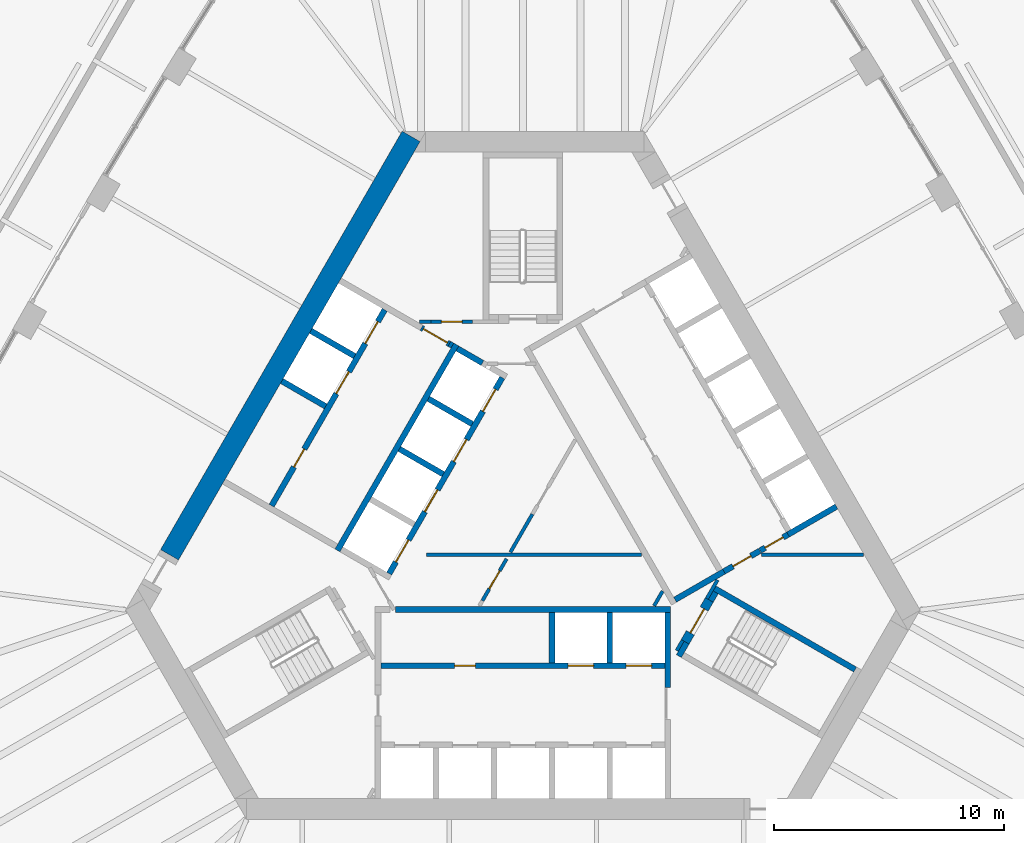
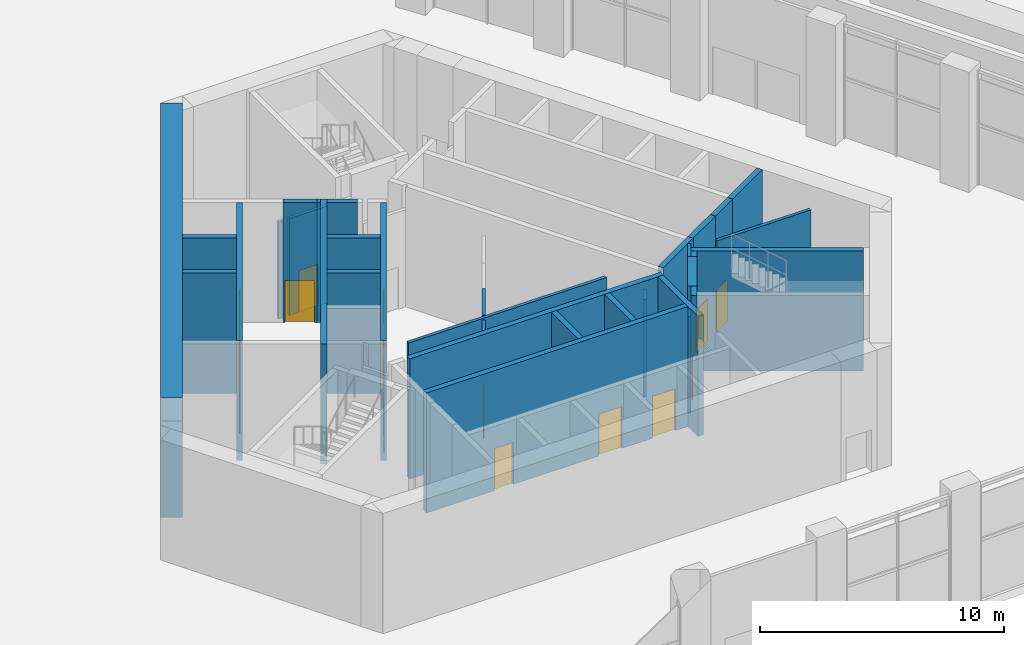
# One storey, part 26 of 41: 33 walls, 16 doors, 16 openings.
"""IFC4 building model written with IfcOpenShell, lengths in metres."""

from ifc_helpers import new_model, si_unit, direction, frame, frame_2d, origin, place, context, subcontext, project, spatial, polyline, rectangle, outline, extrude, material, layer, layer_set, type_object, element, fill, save


model = new_model("IFC4")

# Units and contexts
model_context = context("Model", 3, precision=1e-05, world=origin(), true_north=direction((0.0, 1.0)))
body_context = subcontext(model_context, "Body", "Model", "MODEL_VIEW")
ifc_project = project(units=[si_unit("LENGTHUNIT", "METRE"), si_unit("AREAUNIT", "SQUARE_METRE"), si_unit("VOLUMEUNIT", "CUBIC_METRE"), si_unit("PLANEANGLEUNIT", "RADIAN"), si_unit("MASSUNIT", "GRAM", prefix="KILO")], contexts=[model_context])

# Site, building, storey
site_placement = place(None, origin())
site = spatial("IfcSite", under=ifc_project, at=site_placement, CompositionType="ELEMENT")
building_placement = place(site_placement, origin())
building = spatial("IfcBuilding", under=site, at=building_placement, Name="Mestral Congress Tower", CompositionType="ELEMENT")
storey_placement = place(building_placement, frame((0.0, 0.0, 21.60009765625)))
storey = spatial("IfcBuildingStorey", under=building, at=storey_placement, Name="L04", CompositionType="ELEMENT", Elevation=21.60009765625)

# Walls
ifc_material_1 = material(Name="Fire-rated board partition")
ifc_layer_1 = layer(ifc_material_1, 0.14990234375)
ifc_layer_set_1 = layer_set([ifc_layer_1], Name="Fire-rated board partition")
wall_type_1 = type_object("IfcWallType", Name="Core partition 150", PredefinedType="PARTITIONING", material=ifc_layer_set_1)
wall_1_placement = place(storey_placement, frame((-3.99658203125, 8.625244140625, 0.0), z_axis=(0.0, 0.0, 1.0), x_axis=(-1.0, 0.0, 0.0)))
element("IfcWall", 1, at=wall_1_placement, inside=storey, type_object=wall_type_1, Name="L04 core wall", PredefinedType="PARTITIONING", context=body_context, shape_type="SweptSolid", body=[
    extrude(rectangle(XDim=0.502197265625, YDim=0.14990234375, at=frame_2d((0.2509765625, 0.0))), origin(), (0.0, 0.0, 1.0), 4.849853515625),
])
wall_2_placement = place(storey_placement, frame((6.94482421875, -5.22216796875, 0.0), z_axis=(0.0, 0.0, 1.0), x_axis=(-0.499818422106, -0.866130212453, 0.0)))
element("IfcWall", 2, at=wall_2_placement, inside=storey, type_object=wall_type_1, Name="L04 core wall", PredefinedType="PARTITIONING", context=body_context, shape_type="SweptSolid", body=[
    extrude(rectangle(XDim=0.513916015625, YDim=0.14990234375, at=frame_2d((0.2568359375, 0.0))), origin(), (0.0, 0.0, 1.0), 4.849853515625),
])
wall_3_placement = place(storey_placement, frame((5.704833984375, -3.718017578125, 0.0), z_axis=(0.0, 0.0, 1.0), x_axis=(0.499962090823, 0.866047289552, 0.0)))
element("IfcWall", 3, at=wall_3_placement, inside=storey, type_object=wall_type_1, Name="L04 core wall", PredefinedType="PARTITIONING", context=body_context, shape_type="SweptSolid", body=[
    extrude(rectangle(XDim=0.73486328125, YDim=0.14990234375, at=frame_2d((0.367431640625, 0.0))), origin(), (0.0, 0.0, 1.0), 4.849853515625),
])
wall_4_placement = place(storey_placement, frame((10.362060546875, -1.5, 0.0), z_axis=(0.0, 0.0, 1.0), x_axis=(1.0, 0.0, 0.0)))
element("IfcWall", 4, at=wall_4_placement, inside=storey, type_object=wall_type_1, Name="L04 core wall", PredefinedType="PARTITIONING", context=body_context, shape_type="SweptSolid", body=[
    extrude(rectangle(XDim=4.439208984375, YDim=0.14990234375, at=frame_2d((2.2197265625, 0.0))), origin(), (0.0, 0.0, 1.0), 4.849853515625),
])
wall_5_placement = place(storey_placement, frame((-4.199951171875, -1.5, 0.0), z_axis=(0.0, 0.0, 1.0), x_axis=(1.0, 0.0, 0.0)))
element("IfcWall", 5, at=wall_5_placement, inside=storey, type_object=wall_type_1, Name="L04 core wall", PredefinedType="PARTITIONING", context=body_context, shape_type="SweptSolid", body=[
    extrude(rectangle(XDim=9.359375, YDim=0.14990234375, at=frame_2d((4.6796875, 0.0))), origin(), (0.0, 0.0, 1.0), 4.849853515625),
])
wall_6_placement = place(storey_placement, frame((-0.54443359375, -1.393310546875, 0.0), z_axis=(0.0, 0.0, 1.0), x_axis=(0.499928740635, 0.866066541489, 0.0)))
element("IfcWall", 6, at=wall_6_placement, inside=storey, type_object=wall_type_1, Name="L04 core wall", PredefinedType="PARTITIONING", context=body_context, shape_type="SweptSolid", body=[
    extrude(rectangle(XDim=1.912353515625, YDim=0.14990234375, at=frame_2d((0.9560546875, 0.0))), origin(), (0.0, 0.0, 1.0), 4.849853515625),
])

# Wall, opening, door
wall_7_placement = place(storey_placement, frame((-2.1962890625, 8.625, 0.0), z_axis=(0.0, 0.0, 1.0), x_axis=(-1.0, 0.0, 0.0)))
wall_7 = element("IfcWall", 7, at=wall_7_placement, inside=storey, type_object=wall_type_1, Name="L04 door wall", PredefinedType="PARTITIONING", context=body_context, shape_type="SweptSolid", body=[
    extrude(rectangle(XDim=1.800048828125, YDim=0.14990234375, at=frame_2d((0.89990234375, 0.0))), origin(), (0.0, 0.0, 1.0), 4.849853515625),
])
opening_1_placement = place(wall_7_placement, frame((0.449951171875, 0.0, 0.0)))
opening_1 = element("IfcOpeningElement", 8, at=opening_1_placement, cuts=wall_7, Name="Opening TD2", PredefinedType="OPENING", context=body_context, shape_type="SweptSolid", body=[
    extrude(rectangle(XDim=0.89990234375, YDim=2.10009765625, at=frame_2d((0.449951171875, 1.050048828125))), frame((0.0, 0.0849609375, 0.0), z_axis=(0.0, -1.0, 0.0), x_axis=(1.0, 0.0, 0.0)), (0.0, 0.0, 1.0), 0.169921875),
])
ifc_material_2 = material(Name="Fire-rated steel door set", Category="steel")
door_type_1 = type_object("IfcDoorType", Name="Core door SR 900x2100", OperationType="SINGLE_SWING_LEFT", PredefinedType="DOOR", material=ifc_material_2)
door_1_placement = place(opening_1_placement, origin())
door_1 = element("IfcDoor", 9, at=door_1_placement, inside=storey, type_object=door_type_1, Name="Door TD2", OperationType="SINGLE_SWING_LEFT", OverallHeight=2.10009765625, OverallWidth=0.89990234375, PredefinedType="DOOR", context=body_context, shape_type="SweptSolid", body=[
    extrude(rectangle(XDim=0.89990234375, YDim=2.10009765625, at=frame_2d((0.449951171875, 1.050048828125))), frame((0.0, 0.02490234375, 0.0), z_axis=(0.0, -1.0, 0.0), x_axis=(1.0, 0.0, 0.0)), (0.0, 0.0, 1.0), 0.050048828125),
])
fill(opening_1, door_1)

wall_8_placement = place(storey_placement, frame((-1.759765625, -3.498046875, 0.0), z_axis=(0.0, 0.0, 1.0), x_axis=(0.499977374825, 0.866038466041, 0.0)))
wall_8 = element("IfcWall", 10, at=wall_8_placement, inside=storey, type_object=wall_type_1, Name="L04 door wall", PredefinedType="PARTITIONING", context=body_context, shape_type="SweptSolid", body=[
    extrude(rectangle(XDim=2.10009765625, YDim=0.14990234375, at=frame_2d((1.050048828125, 0.0))), origin(), (0.0, 0.0, 1.0), 4.849853515625),
])
opening_2_placement = place(wall_8_placement, frame((0.60009765625, 0.0, 0.0)))
opening_2 = element("IfcOpeningElement", 11, at=opening_2_placement, cuts=wall_8, Name="Opening CD1-HUB0", PredefinedType="OPENING", context=body_context, shape_type="SweptSolid", body=[
    extrude(rectangle(XDim=0.89990234375, YDim=2.10009765625, at=frame_2d((0.449951171875, 1.050048828125))), frame((0.0, 0.0849609375, 0.0), z_axis=(0.0, -1.0, 0.0), x_axis=(1.0, 0.0, 0.0)), (0.0, 0.0, 1.0), 0.169921875),
])
door_type_2 = type_object("IfcDoorType", Name="Core door CD 900x2100", OperationType="SINGLE_SWING_LEFT", PredefinedType="DOOR", material=ifc_material_2)
door_2_placement = place(opening_2_placement, origin())
door_2 = element("IfcDoor", 12, at=door_2_placement, inside=storey, type_object=door_type_2, Name="Door CD1-HUB0", OperationType="SINGLE_SWING_LEFT", OverallHeight=2.10009765625, OverallWidth=0.89990234375, PredefinedType="DOOR", context=body_context, shape_type="SweptSolid", body=[
    extrude(rectangle(XDim=0.89990234375, YDim=2.10009765625, at=frame_2d((0.449951171875, 1.050048828125))), frame((0.0, 0.02490234375, 0.0), z_axis=(0.0, -1.0, 0.0), x_axis=(1.0, 0.0, 0.0)), (0.0, 0.0, 1.0), 0.050048828125),
])
fill(opening_2, door_2)

# Walls
ifc_material_3 = material(Name="Concrete C60/75", Category="concrete")
ifc_layer_2 = layer(ifc_material_3, 0.89990234375)
ifc_layer_set_2 = layer_set([ifc_layer_2], Name="Concrete C60/75")
wall_type_2 = type_object("IfcWallType", Name="Core wall RC 900", PredefinedType="SOLIDWALL", material=ifc_layer_set_2)
wall_9_placement = place(storey_placement, frame((-15.359619140625, -1.50341796875, 0.0), z_axis=(0.0, 0.0, 1.0), x_axis=(0.50000389221, 0.866023156604, 0.0)))
element("IfcWall", 13, at=wall_9_placement, inside=storey, type_object=wall_type_2, Name="L04 core wall", PredefinedType="SOLIDWALL", context=body_context, shape_type="SweptSolid", body=[
    extrude(rectangle(XDim=21.000244140625, YDim=0.89990234375, at=frame_2d((10.5, 0.0))), origin(), (0.0, 0.0, 1.0), 6.0),
])
ifc_layer_3 = layer(ifc_material_3, 0.25)
ifc_layer_set_3 = layer_set([ifc_layer_3], Name="Concrete C60/75")
wall_type_3 = type_object("IfcWallType", Name="Shaft wall RC 250", PredefinedType="SOLIDWALL", material=ifc_layer_set_3)
wall_10_placement = place(storey_placement, frame((-5.544921875, -3.875, 0.0), z_axis=(0.0, 0.0, 1.0), x_axis=(1.0, 0.0, 0.0)))
element("IfcWall", 14, at=wall_10_placement, inside=storey, type_object=wall_type_3, Name="L04 core wall", PredefinedType="SOLIDWALL", context=body_context, shape_type="SweptSolid", body=[
    extrude(rectangle(XDim=11.969970703125, YDim=0.25, at=frame_2d((5.98486328125, 0.0))), origin(), (0.0, 0.0, 1.0), 6.0),
])
wall_11_placement = place(storey_placement, frame((6.300048828125, -7.26806640625, 0.0), z_axis=(0.0, 0.0, 1.0), x_axis=(0.0, 1.0, 0.0)))
element("IfcWall", 15, at=wall_11_placement, inside=storey, type_object=wall_type_3, Name="L04 core wall", PredefinedType="SOLIDWALL", context=body_context, shape_type="SweptSolid", body=[
    extrude(rectangle(XDim=3.26806640625, YDim=0.25, at=frame_2d((1.634033203125, 0.0))), origin(), (0.0, 0.0, 1.0), 6.0),
])
for number, where, z_axis, x_axis, name in (
    (16, (3.780029296875, -4.0, 0.0), (0.0, 0.0, 1.0), (0.0, -1.0, 0.0), "L04 core wall"),
    (17, (1.260009765625, -4.0, 0.0), (0.0, 0.0, 1.0), (0.0, -1.0, 0.0), "L04 core wall"),
):
    element("IfcWall", number, at=place(storey_placement, frame(where, z_axis=z_axis, x_axis=x_axis)), inside=storey, type_object=wall_type_3, Name=name, PredefinedType="SOLIDWALL", context=body_context, shape_type="SweptSolid", body=[
        extrude(rectangle(XDim=2.199951171875, YDim=0.25, at=frame_2d((1.10009765625, 0.0))), origin(), (0.0, 0.0, 1.0), 6.0),
    ])
wall_12_placement = place(storey_placement, frame((13.62890625, 0.593994140625, 0.0), z_axis=(0.0, 0.0, 1.0), x_axis=(-0.866063384774, -0.499934209226, 0.0)))
element("IfcWall", 18, at=wall_12_placement, inside=storey, type_object=wall_type_3, Name="L04 core wall", PredefinedType="SOLIDWALL", context=body_context, shape_type="SweptSolid", body=[
    extrude(rectangle(XDim=2.428466796875, YDim=0.25, at=frame_2d((1.21435546875, 0.0))), origin(), (0.0, 0.0, 1.0), 6.0),
])
wall_13_placement = place(storey_placement, frame((6.614013671875, -3.4560546875, 0.0), z_axis=(0.0, 0.0, 1.0), x_axis=(0.866031582473, 0.499989298045, 0.0)))
element("IfcWall", 19, at=wall_13_placement, inside=storey, type_object=wall_type_3, Name="L04 core wall", PredefinedType="SOLIDWALL", context=body_context, shape_type="SweptSolid", body=[
    extrude(rectangle(XDim=2.455078125, YDim=0.25, at=frame_2d((1.2275390625, 0.0))), origin(), (0.0, 0.0, 1.0), 6.0),
])
wall_14_placement = place(storey_placement, frame((-8.06005859375, -1.310546875, 0.0), z_axis=(0.0, 0.0, 1.0), x_axis=(0.50000273126, 0.866023826885, 0.0)))
element("IfcWall", 20, at=wall_14_placement, inside=storey, type_object=wall_type_3, Name="L04 core wall", PredefinedType="SOLIDWALL", context=body_context, shape_type="SweptSolid", body=[
    extrude(rectangle(XDim=10.330078125, YDim=0.25, at=frame_2d((5.1650390625, 0.0))), origin(), (0.0, 0.0, 1.0), 6.0),
])
wall_15_placement = place(storey_placement, frame((-1.760009765625, 6.835693359375, 0.0), z_axis=(0.0, 0.0, 1.0), x_axis=(-0.865952863304, 0.500125622755, 0.0)))
element("IfcWall", 21, at=wall_15_placement, inside=storey, type_object=wall_type_3, Name="L04 core wall", PredefinedType="SOLIDWALL", context=body_context, shape_type="SweptSolid", body=[
    extrude(rectangle(XDim=1.258056640625, YDim=0.25, at=frame_2d((0.62890625, 0.0))), origin(), (0.0, 0.0, 1.0), 6.0),
])
for number, where, z_axis, x_axis, name in (
    (22, (-2.2041015625, 4.182373046875, 0.0), (0.0, 0.0, 1.0), (-0.866008176907, 0.50002983664, 0.0), "L04 core wall"),
    (23, (-5.369384765625, 3.10009765625, 0.0), (0.0, 0.0, 1.0), (0.866008176907, -0.50002983664, 0.0), "L04 core wall"),
):
    element("IfcWall", number, at=place(storey_placement, frame(where, z_axis=z_axis, x_axis=x_axis)), inside=storey, type_object=wall_type_3, Name=name, PredefinedType="SOLIDWALL", context=body_context, shape_type="SweptSolid", body=[
        extrude(rectangle(XDim=2.199951171875, YDim=0.25, at=frame_2d((1.10009765625, 0.0))), origin(), (0.0, 0.0, 1.0), 6.0),
    ])
wall_16_placement = place(storey_placement, origin())
element("IfcWall", 24, at=wall_16_placement, inside=storey, type_object=wall_type_3, Name="L04 core wall", PredefinedType="SOLIDWALL", context=body_context, shape_type="SweptSolid", body=[
    extrude(outline(polyline([(-3.12841796875, 7.4814453125), (-3.2587890625, 7.556640625), (-3.1337890625, 7.773193359375), (-3.00341796875, 7.697998046875), (-3.12841796875, 7.4814453125)])), origin(), (0.0, 0.0, 1.0), 6.0),
])
for number, where, z_axis, x_axis, name in (
    (25, (-8.57373046875, 4.949951171875, 0.0), (0.0, 0.0, 1.0), (-0.866008176907, 0.50002983664, 0.0), "L04 core wall"),
    (26, (-7.313720703125, 7.13232421875, 0.0), (0.0, 0.0, 1.0), (-0.866008176907, 0.50002983664, 0.0), "L04 core wall"),
):
    element("IfcWall", number, at=place(storey_placement, frame(where, z_axis=z_axis, x_axis=x_axis)), inside=storey, type_object=wall_type_3, Name=name, PredefinedType="SOLIDWALL", context=body_context, shape_type="SweptSolid", body=[
        extrude(rectangle(XDim=2.199951171875, YDim=0.25, at=frame_2d((1.10009765625, 0.0))), origin(), (0.0, 0.0, 1.0), 6.0),
    ])

# Wall, openings, doors
wall_17_placement = place(storey_placement, frame((-6.175048828125, -6.324951171875, 0.0), z_axis=(0.0, 0.0, 1.0), x_axis=(1.0, 0.0, 0.0)))
wall_17 = element("IfcWall", 27, at=wall_17_placement, inside=storey, type_object=wall_type_3, Name="L04 door wall", PredefinedType="SOLIDWALL", context=body_context, shape_type="SweptSolid", body=[
    extrude(rectangle(XDim=12.35009765625, YDim=0.25, at=frame_2d((6.175048828125, 0.0))), origin(), (0.0, 0.0, 1.0), 6.0),
])
opening_3_placement = place(wall_17_placement, frame((3.205078125, 0.0, 0.0)))
opening_3 = element("IfcOpeningElement", 28, at=opening_3_placement, cuts=wall_17, Name="Opening SR-SOB1", PredefinedType="OPENING", context=body_context, shape_type="SweptSolid", body=[
    extrude(rectangle(XDim=0.89990234375, YDim=2.10009765625, at=frame_2d((0.449951171875, 1.050048828125))), frame((0.0, 0.135009765625, 0.0), z_axis=(0.0, -1.0, 0.0), x_axis=(1.0, 0.0, 0.0)), (0.0, 0.0, 1.0), 0.27001953125),
])
opening_4_placement = place(wall_17_placement, frame((8.14501953125, 0.0, 0.0)))
opening_4 = element("IfcOpeningElement", 29, at=opening_4_placement, cuts=wall_17, Name="Opening LD-SOB4", PredefinedType="OPENING", context=body_context, shape_type="SweptSolid", body=[
    extrude(rectangle(XDim=1.10009765625, YDim=2.10009765625, at=frame_2d((0.550048828125, 1.050048828125))), frame((0.0, 0.135009765625, 0.0), z_axis=(0.0, -1.0, 0.0), x_axis=(1.0, 0.0, 0.0)), (0.0, 0.0, 1.0), 0.27001953125),
])
opening_5_placement = place(wall_17_placement, frame((10.6650390625, 0.0, 0.0)))
opening_5 = element("IfcOpeningElement", 30, at=opening_5_placement, cuts=wall_17, Name="Opening LD-SOB5", PredefinedType="OPENING", context=body_context, shape_type="SweptSolid", body=[
    extrude(rectangle(XDim=1.10009765625, YDim=2.10009765625, at=frame_2d((0.550048828125, 1.050048828125))), frame((0.0, 0.135009765625, 0.0), z_axis=(0.0, -1.0, 0.0), x_axis=(1.0, 0.0, 0.0)), (0.0, 0.0, 1.0), 0.27001953125),
])
door_type_3 = type_object("IfcDoorType", Name="Core door LD 1100x2100", OperationType="DOUBLE_DOOR_SLIDING", PredefinedType="DOOR", material=ifc_material_2)
door_3_placement = place(opening_4_placement, origin())
door_3 = element("IfcDoor", 31, at=door_3_placement, inside=storey, type_object=door_type_3, Name="Door LD-SOB4", OperationType="DOUBLE_DOOR_SLIDING", OverallHeight=2.10009765625, OverallWidth=1.10009765625, PredefinedType="DOOR", context=body_context, shape_type="SweptSolid", body=[
    extrude(rectangle(XDim=1.10009765625, YDim=2.10009765625, at=frame_2d((0.550048828125, 1.050048828125))), frame((0.0, 0.02490234375, 0.0), z_axis=(0.0, -1.0, 0.0), x_axis=(1.0, 0.0, 0.0)), (0.0, 0.0, 1.0), 0.050048828125),
])
fill(opening_4, door_3)
door_4_placement = place(opening_5_placement, origin())
door_4 = element("IfcDoor", 32, at=door_4_placement, inside=storey, type_object=door_type_3, Name="Door LD-SOB5", OperationType="DOUBLE_DOOR_SLIDING", OverallHeight=2.10009765625, OverallWidth=1.10009765625, PredefinedType="DOOR", context=body_context, shape_type="SweptSolid", body=[
    extrude(rectangle(XDim=1.10009765625, YDim=2.10009765625, at=frame_2d((0.550048828125, 1.050048828125))), frame((0.0, 0.02490234375, 0.0), z_axis=(0.0, -1.0, 0.0), x_axis=(1.0, 0.0, 0.0)), (0.0, 0.0, 1.0), 0.050048828125),
])
fill(opening_5, door_4)
door_5_placement = place(opening_3_placement, origin())
door_5 = element("IfcDoor", 33, at=door_5_placement, inside=storey, type_object=door_type_1, Name="Door SR-SOB1", OperationType="SINGLE_SWING_LEFT", OverallHeight=2.10009765625, OverallWidth=0.89990234375, PredefinedType="DOOR", context=body_context, shape_type="SweptSolid", body=[
    extrude(rectangle(XDim=0.89990234375, YDim=2.10009765625, at=frame_2d((0.449951171875, 1.050048828125))), frame((0.0, 0.02490234375, 0.0), z_axis=(0.0, -1.0, 0.0), x_axis=(1.0, 0.0, 0.0)), (0.0, 0.0, 1.0), 0.050048828125),
])
fill(opening_3, door_5)

wall_18_placement = place(storey_placement, frame((-6.0078125, 9.14404296875, 0.0), z_axis=(0.0, 0.0, 1.0), x_axis=(-0.500006956611, -0.866021387346, 0.0)))
wall_18 = element("IfcWall", 34, at=wall_18_placement, inside=storey, type_object=wall_type_3, Name="L04 door wall", PredefinedType="SOLIDWALL", context=body_context, shape_type="SweptSolid", body=[
    extrude(rectangle(XDim=9.829833984375, YDim=0.25, at=frame_2d((4.9150390625, 0.0))), origin(), (0.0, 0.0, 1.0), 6.0),
])
opening_6_placement = place(wall_18_placement, frame((0.5849609375, 0.0, 0.0)))
opening_6 = element("IfcOpeningElement", 35, at=opening_6_placement, cuts=wall_18, Name="Opening LD-NWA1", PredefinedType="OPENING", context=body_context, shape_type="SweptSolid", body=[
    extrude(rectangle(XDim=1.10009765625, YDim=2.10009765625, at=frame_2d((0.550048828125, 1.050048828125))), frame((0.0, 0.135009765625, 0.0), z_axis=(0.0, -1.0, 0.0), x_axis=(1.0, 0.0, 0.0)), (0.0, 0.0, 1.0), 0.27001953125),
])
opening_7_placement = place(wall_18_placement, frame((3.10498046875, 0.0, 0.0)))
opening_7 = element("IfcOpeningElement", 36, at=opening_7_placement, cuts=wall_18, Name="Opening LD-NWA2", PredefinedType="OPENING", context=body_context, shape_type="SweptSolid", body=[
    extrude(rectangle(XDim=1.10009765625, YDim=2.10009765625, at=frame_2d((0.550048828125, 1.050048828125))), frame((0.0, 0.135009765625, 0.0), z_axis=(0.0, -1.0, 0.0), x_axis=(1.0, 0.0, 0.0)), (0.0, 0.0, 1.0), 0.27001953125),
])
opening_8_placement = place(wall_18_placement, frame((6.985107421875, 0.0, 0.0)))
opening_8 = element("IfcOpeningElement", 37, at=opening_8_placement, cuts=wall_18, Name="Opening SR-NWA2", PredefinedType="OPENING", context=body_context, shape_type="SweptSolid", body=[
    extrude(rectangle(XDim=0.89990234375, YDim=2.10009765625, at=frame_2d((0.449951171875, 1.050048828125))), frame((0.0, 0.135009765625, 0.0), z_axis=(0.0, -1.0, 0.0), x_axis=(1.0, 0.0, 0.0)), (0.0, 0.0, 1.0), 0.27001953125),
])
door_6_placement = place(opening_6_placement, origin())
door_6 = element("IfcDoor", 38, at=door_6_placement, inside=storey, type_object=door_type_3, Name="Door LD-NWA1", OperationType="DOUBLE_DOOR_SLIDING", OverallHeight=2.10009765625, OverallWidth=1.10009765625, PredefinedType="DOOR", context=body_context, shape_type="SweptSolid", body=[
    extrude(rectangle(XDim=1.10009765625, YDim=2.10009765625, at=frame_2d((0.550048828125, 1.050048828125))), frame((0.0, 0.02490234375, 0.0), z_axis=(0.0, -1.0, 0.0), x_axis=(1.0, 0.0, 0.0)), (0.0, 0.0, 1.0), 0.050048828125),
])
fill(opening_6, door_6)
door_7_placement = place(opening_7_placement, origin())
door_7 = element("IfcDoor", 39, at=door_7_placement, inside=storey, type_object=door_type_3, Name="Door LD-NWA2", OperationType="DOUBLE_DOOR_SLIDING", OverallHeight=2.10009765625, OverallWidth=1.10009765625, PredefinedType="DOOR", context=body_context, shape_type="SweptSolid", body=[
    extrude(rectangle(XDim=1.10009765625, YDim=2.10009765625, at=frame_2d((0.550048828125, 1.050048828125))), frame((0.0, 0.02490234375, 0.0), z_axis=(0.0, -1.0, 0.0), x_axis=(1.0, 0.0, 0.0)), (0.0, 0.0, 1.0), 0.050048828125),
])
fill(opening_7, door_7)
door_8_placement = place(opening_8_placement, origin())
door_8 = element("IfcDoor", 40, at=door_8_placement, inside=storey, type_object=door_type_1, Name="Door SR-NWA2", OperationType="SINGLE_SWING_LEFT", OverallHeight=2.10009765625, OverallWidth=0.89990234375, PredefinedType="DOOR", context=body_context, shape_type="SweptSolid", body=[
    extrude(rectangle(XDim=0.89990234375, YDim=2.10009765625, at=frame_2d((0.449951171875, 1.050048828125))), frame((0.0, 0.02490234375, 0.0), z_axis=(0.0, -1.0, 0.0), x_axis=(1.0, 0.0, 0.0)), (0.0, 0.0, 1.0), 0.050048828125),
])
fill(opening_8, door_8)

wall_19_placement = place(storey_placement, frame((-0.898193359375, 6.194091796875, 0.0), z_axis=(0.0, 0.0, 1.0), x_axis=(-0.499996202215, -0.866027596426, 0.0)))
wall_19 = element("IfcWall", 41, at=wall_19_placement, inside=storey, type_object=wall_type_3, Name="L04 door wall", PredefinedType="SOLIDWALL", context=body_context, shape_type="SweptSolid", body=[
    extrude(rectangle(XDim=9.830078125, YDim=0.25, at=frame_2d((4.9150390625, 0.0))), origin(), (0.0, 0.0, 1.0), 6.0),
])
opening_9_placement = place(wall_19_placement, frame((0.5849609375, 0.0, 0.0)))
opening_9 = element("IfcOpeningElement", 42, at=opening_9_placement, cuts=wall_19, Name="Opening LD-NWB1", PredefinedType="OPENING", context=body_context, shape_type="SweptSolid", body=[
    extrude(rectangle(XDim=1.10009765625, YDim=2.10009765625, at=frame_2d((0.550048828125, 1.050048828125))), frame((0.0, 0.135009765625, 0.0), z_axis=(0.0, -1.0, 0.0), x_axis=(1.0, 0.0, 0.0)), (0.0, 0.0, 1.0), 0.27001953125),
])
opening_10_placement = place(wall_19_placement, frame((3.10498046875, 0.0, 0.0)))
opening_10 = element("IfcOpeningElement", 43, at=opening_10_placement, cuts=wall_19, Name="Opening LD-NWB2", PredefinedType="OPENING", context=body_context, shape_type="SweptSolid", body=[
    extrude(rectangle(XDim=1.10009765625, YDim=2.10009765625, at=frame_2d((0.550048828125, 1.050048828125))), frame((0.0, 0.135009765625, 0.0), z_axis=(0.0, -1.0, 0.0), x_axis=(1.0, 0.0, 0.0)), (0.0, 0.0, 1.0), 0.27001953125),
])
opening_11_placement = place(wall_19_placement, frame((5.625, 0.0, 0.0)))
opening_11 = element("IfcOpeningElement", 44, at=opening_11_placement, cuts=wall_19, Name="Opening LD-NWB3", PredefinedType="OPENING", context=body_context, shape_type="SweptSolid", body=[
    extrude(rectangle(XDim=1.10009765625, YDim=2.10009765625, at=frame_2d((0.550048828125, 1.050048828125))), frame((0.0, 0.135009765625, 0.0), z_axis=(0.0, -1.0, 0.0), x_axis=(1.0, 0.0, 0.0)), (0.0, 0.0, 1.0), 0.27001953125),
])
opening_12_placement = place(wall_19_placement, frame((8.14501953125, 0.0, 0.0)))
opening_12 = element("IfcOpeningElement", 45, at=opening_12_placement, cuts=wall_19, Name="Opening LD-NWB4", PredefinedType="OPENING", context=body_context, shape_type="SweptSolid", body=[
    extrude(rectangle(XDim=1.10009765625, YDim=2.10009765625, at=frame_2d((0.550048828125, 1.050048828125))), frame((0.0, 0.135009765625, 0.0), z_axis=(0.0, -1.0, 0.0), x_axis=(1.0, 0.0, 0.0)), (0.0, 0.0, 1.0), 0.27001953125),
])
door_9_placement = place(opening_9_placement, origin())
door_9 = element("IfcDoor", 46, at=door_9_placement, inside=storey, type_object=door_type_3, Name="Door LD-NWB1", OperationType="DOUBLE_DOOR_SLIDING", OverallHeight=2.10009765625, OverallWidth=1.10009765625, PredefinedType="DOOR", context=body_context, shape_type="SweptSolid", body=[
    extrude(rectangle(XDim=1.10009765625, YDim=2.10009765625, at=frame_2d((0.550048828125, 1.050048828125))), frame((0.0, 0.02490234375, 0.0), z_axis=(0.0, -1.0, 0.0), x_axis=(1.0, 0.0, 0.0)), (0.0, 0.0, 1.0), 0.050048828125),
])
fill(opening_9, door_9)
door_10_placement = place(opening_10_placement, origin())
door_10 = element("IfcDoor", 47, at=door_10_placement, inside=storey, type_object=door_type_3, Name="Door LD-NWB2", OperationType="DOUBLE_DOOR_SLIDING", OverallHeight=2.10009765625, OverallWidth=1.10009765625, PredefinedType="DOOR", context=body_context, shape_type="SweptSolid", body=[
    extrude(rectangle(XDim=1.10009765625, YDim=2.10009765625, at=frame_2d((0.550048828125, 1.050048828125))), frame((0.0, 0.02490234375, 0.0), z_axis=(0.0, -1.0, 0.0), x_axis=(1.0, 0.0, 0.0)), (0.0, 0.0, 1.0), 0.050048828125),
])
fill(opening_10, door_10)
door_11_placement = place(opening_11_placement, origin())
door_11 = element("IfcDoor", 48, at=door_11_placement, inside=storey, type_object=door_type_3, Name="Door LD-NWB3", OperationType="DOUBLE_DOOR_SLIDING", OverallHeight=2.10009765625, OverallWidth=1.10009765625, PredefinedType="DOOR", context=body_context, shape_type="SweptSolid", body=[
    extrude(rectangle(XDim=1.10009765625, YDim=2.10009765625, at=frame_2d((0.550048828125, 1.050048828125))), frame((0.0, 0.02490234375, 0.0), z_axis=(0.0, -1.0, 0.0), x_axis=(1.0, 0.0, 0.0)), (0.0, 0.0, 1.0), 0.050048828125),
])
fill(opening_11, door_11)
door_12_placement = place(opening_12_placement, origin())
door_12 = element("IfcDoor", 49, at=door_12_placement, inside=storey, type_object=door_type_3, Name="Door LD-NWB4", OperationType="DOUBLE_DOOR_SLIDING", OverallHeight=2.10009765625, OverallWidth=1.10009765625, PredefinedType="DOOR", context=body_context, shape_type="SweptSolid", body=[
    extrude(rectangle(XDim=1.10009765625, YDim=2.10009765625, at=frame_2d((0.550048828125, 1.050048828125))), frame((0.0, 0.02490234375, 0.0), z_axis=(0.0, -1.0, 0.0), x_axis=(1.0, 0.0, 0.0)), (0.0, 0.0, 1.0), 0.050048828125),
])
fill(opening_12, door_12)

# Wall, opening, door
wall_20_placement = place(storey_placement, frame((8.740478515625, -2.228515625, 0.0), z_axis=(0.0, 0.0, 1.0), x_axis=(0.865989075817, 0.500062916607, 0.0)))
wall_20 = element("IfcWall", 50, at=wall_20_placement, inside=storey, type_object=wall_type_3, Name="L04 door wall", PredefinedType="SOLIDWALL", context=body_context, shape_type="SweptSolid", body=[
    extrude(rectangle(XDim=1.800048828125, YDim=0.25, at=frame_2d((0.89990234375, 0.0))), origin(), (0.0, 0.0, 1.0), 6.0),
])
opening_13_placement = place(wall_20_placement, frame((0.449951171875, 0.0, 0.0)))
opening_13 = element("IfcOpeningElement", 51, at=opening_13_placement, cuts=wall_20, Name="Opening TD1", PredefinedType="OPENING", context=body_context, shape_type="SweptSolid", body=[
    extrude(rectangle(XDim=0.89990234375, YDim=2.10009765625, at=frame_2d((0.449951171875, 1.050048828125))), frame((0.0, 0.135009765625, 0.0), z_axis=(0.0, -1.0, 0.0), x_axis=(1.0, 0.0, 0.0)), (0.0, 0.0, 1.0), 0.27001953125),
])
door_13_placement = place(opening_13_placement, origin())
door_13 = element("IfcDoor", 52, at=door_13_placement, inside=storey, type_object=door_type_1, Name="Door TD1", OperationType="SINGLE_SWING_LEFT", OverallHeight=2.10009765625, OverallWidth=0.89990234375, PredefinedType="DOOR", context=body_context, shape_type="SweptSolid", body=[
    extrude(rectangle(XDim=0.89990234375, YDim=2.10009765625, at=frame_2d((0.449951171875, 1.050048828125))), frame((0.0, 0.02490234375, 0.0), z_axis=(0.0, -1.0, 0.0), x_axis=(1.0, 0.0, 0.0)), (0.0, 0.0, 1.0), 0.050048828125),
])
fill(opening_13, door_13)

wall_21_placement = place(storey_placement, frame((-4.40869140625, 8.364990234375, 0.0), z_axis=(0.0, 0.0, 1.0), x_axis=(0.866034573852, -0.49998411664, 0.0)))
wall_21 = element("IfcWall", 53, at=wall_21_placement, inside=storey, type_object=wall_type_3, Name="L04 door wall", PredefinedType="SOLIDWALL", context=body_context, shape_type="SweptSolid", body=[
    extrude(rectangle(XDim=1.39990234375, YDim=0.25, at=frame_2d((0.699951171875, 0.0))), origin(), (0.0, 0.0, 1.0), 6.0),
])
opening_14_placement = place(wall_21_placement, frame((0.10009765625, 0.0, 0.0)))
opening_14 = element("IfcOpeningElement", 54, at=opening_14_placement, cuts=wall_21, Name="Opening LB2-WL2", PredefinedType="OPENING", context=body_context, shape_type="SweptSolid", body=[
    extrude(rectangle(XDim=1.199951171875, YDim=2.10009765625, at=frame_2d((0.60009765625, 1.050048828125))), frame((0.0, 0.135009765625, 0.0), z_axis=(0.0, -1.0, 0.0), x_axis=(1.0, 0.0, 0.0)), (0.0, 0.0, 1.0), 0.27001953125),
])
door_type_4 = type_object("IfcDoorType", Name="Core door LB 1200x2100", OperationType="SINGLE_SWING_LEFT", PredefinedType="DOOR", material=ifc_material_2)
door_14_placement = place(opening_14_placement, origin())
door_14 = element("IfcDoor", 55, at=door_14_placement, inside=storey, type_object=door_type_4, Name="Door LB2-WL2", OperationType="SINGLE_SWING_LEFT", OverallHeight=2.10009765625, OverallWidth=1.199951171875, PredefinedType="DOOR", context=body_context, shape_type="SweptSolid", body=[
    extrude(rectangle(XDim=1.199951171875, YDim=2.10009765625, at=frame_2d((0.60009765625, 1.050048828125))), frame((0.0, 0.02490234375, 0.0), z_axis=(0.0, -1.0, 0.0), x_axis=(1.0, 0.0, 0.0)), (0.0, 0.0, 1.0), 0.050048828125),
])
fill(opening_14, door_14)

wall_22_placement = place(storey_placement, frame((10.31298828125, -1.3203125, 0.0), z_axis=(0.0, 0.0, 1.0), x_axis=(0.866034573852, 0.49998411664, 0.0)))
wall_22 = element("IfcWall", 56, at=wall_22_placement, inside=storey, type_object=wall_type_3, Name="L04 door wall", PredefinedType="SOLIDWALL", context=body_context, shape_type="SweptSolid", body=[
    extrude(rectangle(XDim=1.39990234375, YDim=0.25, at=frame_2d((0.699951171875, 0.0))), origin(), (0.0, 0.0, 1.0), 6.0),
])
opening_15_placement = place(wall_22_placement, frame((0.25, 0.0, 0.0)))
opening_15 = element("IfcOpeningElement", 57, at=opening_15_placement, cuts=wall_22, Name="Opening SD-HUB2", PredefinedType="OPENING", context=body_context, shape_type="SweptSolid", body=[
    extrude(rectangle(XDim=0.89990234375, YDim=2.10009765625, at=frame_2d((0.449951171875, 1.050048828125))), frame((0.0, 0.135009765625, 0.0), z_axis=(0.0, -1.0, 0.0), x_axis=(1.0, 0.0, 0.0)), (0.0, 0.0, 1.0), 0.27001953125),
])
door_15_placement = place(opening_15_placement, origin())
door_15 = element("IfcDoor", 58, at=door_15_placement, inside=storey, type_object=door_type_1, Name="Door SD-HUB2", OperationType="SINGLE_SWING_LEFT", OverallHeight=2.10009765625, OverallWidth=0.89990234375, PredefinedType="DOOR", context=body_context, shape_type="SweptSolid", body=[
    extrude(rectangle(XDim=0.89990234375, YDim=2.10009765625, at=frame_2d((0.449951171875, 1.050048828125))), frame((0.0, 0.02490234375, 0.0), z_axis=(0.0, -1.0, 0.0), x_axis=(1.0, 0.0, 0.0)), (0.0, 0.0, 1.0), 0.050048828125),
])
fill(opening_15, door_15)

# Walls
ifc_layer_4 = layer(ifc_material_3, 0.14990234375)
ifc_layer_set_4 = layer_set([ifc_layer_4], Name="Concrete C60/75")
wall_type_4 = type_object("IfcWallType", Name="Shaft wall RC 250 door-wall 150", PredefinedType="SOLIDWALL", material=ifc_layer_set_4)
wall_23_placement = place(storey_placement, frame((8.459228515625, -2.59912109375, 0.0), z_axis=(0.0, 0.0, 1.0), x_axis=(-0.500041054325, -0.866001699761, 0.0)))
element("IfcWall", 59, at=wall_23_placement, inside=storey, type_object=wall_type_4, Name="L04 core wall", PredefinedType="PARTITIONING", context=body_context, shape_type="SweptSolid", body=[
    extrude(rectangle(XDim=0.9287109375, YDim=0.14990234375, at=frame_2d((0.46435546875, 0.0))), origin(), (0.0, 0.0, 1.0), 6.0),
])
ifc_layer_5 = layer(ifc_material_3, 0.25)
ifc_layer_set_5 = layer_set([ifc_layer_5], Name="Concrete C60/75")
wall_type_5 = type_object("IfcWallType", Name="Stair wall RC 250", PredefinedType="SOLIDWALL", material=ifc_layer_set_5)
wall_24_placement = place(storey_placement, frame((6.780029296875, -5.906494140625, 0.0), z_axis=(0.0, 0.0, 1.0), x_axis=(0.500223362819, 0.865896406789, 0.0)))
element("IfcWall", 60, at=wall_24_placement, inside=storey, type_object=wall_type_5, Name="L04 core wall", PredefinedType="SOLIDWALL", context=body_context, shape_type="SweptSolid", body=[
    extrude(rectangle(XDim=0.675048828125, YDim=0.25, at=frame_2d((0.33740234375, 0.0))), origin(), (0.0, 0.0, 1.0), 6.0),
])
wall_25_placement = place(storey_placement, frame((8.33447265625, -2.96435546875, 0.0), z_axis=(0.0, 0.0, 1.0), x_axis=(0.866016039709, -0.500016218704, 0.0)))
element("IfcWall", 61, at=wall_25_placement, inside=storey, type_object=wall_type_5, Name="L04 core wall", PredefinedType="SOLIDWALL", context=body_context, shape_type="SweptSolid", body=[
    extrude(rectangle(XDim=7.050048828125, YDim=0.25, at=frame_2d((3.52490234375, 0.0))), origin(), (0.0, 0.0, 1.0), 6.0),
])
wall_26_placement = place(storey_placement, frame((8.167724609375, -3.503173828125, 0.0), z_axis=(0.0, 0.0, 1.0), x_axis=(0.49972245349, 0.866185586049, 0.0)))
element("IfcWall", 62, at=wall_26_placement, inside=storey, type_object=wall_type_5, Name="L04 core wall", PredefinedType="SOLIDWALL", context=body_context, shape_type="SweptSolid", body=[
    extrude(rectangle(XDim=0.425048828125, YDim=0.25, at=frame_2d((0.21240234375, 0.0))), origin(), (0.0, 0.0, 1.0), 6.0),
])

# Wall, opening, door
ifc_layer_6 = layer(ifc_material_3, 0.39990234375)
ifc_layer_set_6 = layer_set([ifc_layer_6], Name="Concrete C60/75")
wall_type_6 = type_object("IfcWallType", Name="Stair wall RC 250 door-wall 400", PredefinedType="SOLIDWALL", material=ifc_layer_set_6)
wall_27_placement = place(storey_placement, frame((7.052734375, -5.2841796875, 0.0), z_axis=(0.0, 0.0, 1.0), x_axis=(0.500078061341, 0.865980330357, 0.0)))
wall_27 = element("IfcWall", 63, at=wall_27_placement, inside=storey, type_object=wall_type_6, Name="L04 door wall", PredefinedType="SOLIDWALL", context=body_context, shape_type="SweptSolid", body=[
    extrude(rectangle(XDim=2.099853515625, YDim=0.39990234375, at=frame_2d((1.0498046875, 0.0))), origin(), (0.0, 0.0, 1.0), 6.0),
])
opening_16_placement = place(wall_27_placement, frame((0.449951171875, 0.0, 0.0)))
opening_16 = element("IfcOpeningElement", 64, at=opening_16_placement, cuts=wall_27, Name="Opening ST-D1", PredefinedType="OPENING", context=body_context, shape_type="SweptSolid", body=[
    extrude(rectangle(XDim=1.199951171875, YDim=2.10009765625, at=frame_2d((0.60009765625, 1.050048828125))), frame((0.0, 0.2099609375, 0.0), z_axis=(0.0, -1.0, 0.0), x_axis=(1.0, 0.0, 0.0)), (0.0, 0.0, 1.0), 0.419921875),
])
door_type_5 = type_object("IfcDoorType", Name="Core door ST 1200x2100", OperationType="SINGLE_SWING_LEFT", PredefinedType="DOOR", material=ifc_material_2)
door_16_placement = place(opening_16_placement, origin())
door_16 = element("IfcDoor", 65, at=door_16_placement, inside=storey, type_object=door_type_5, Name="Door ST-D1", OperationType="SINGLE_SWING_LEFT", OverallHeight=2.10009765625, OverallWidth=1.199951171875, PredefinedType="DOOR", context=body_context, shape_type="SweptSolid", body=[
    extrude(rectangle(XDim=1.199951171875, YDim=2.10009765625, at=frame_2d((0.60009765625, 1.050048828125))), frame((0.0, 0.02490234375, 0.0), z_axis=(0.0, -1.0, 0.0), x_axis=(1.0, 0.0, 0.0)), (0.0, 0.0, 1.0), 0.050048828125),
])
fill(opening_16, door_16)

save(model, "model.ifc")
